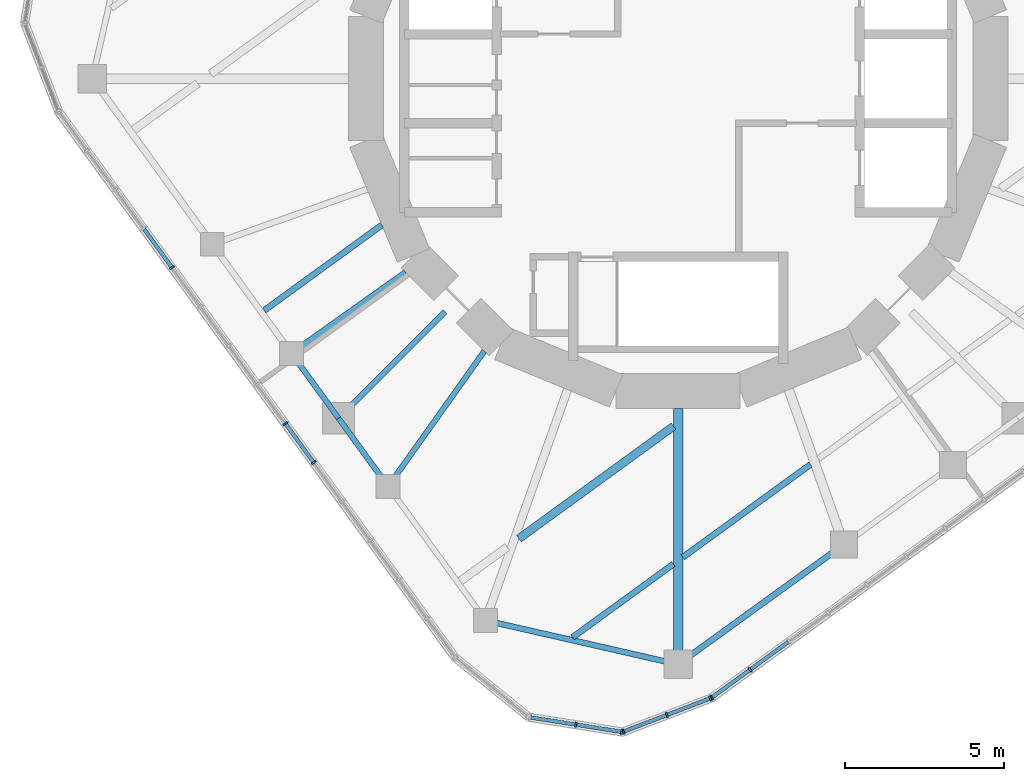
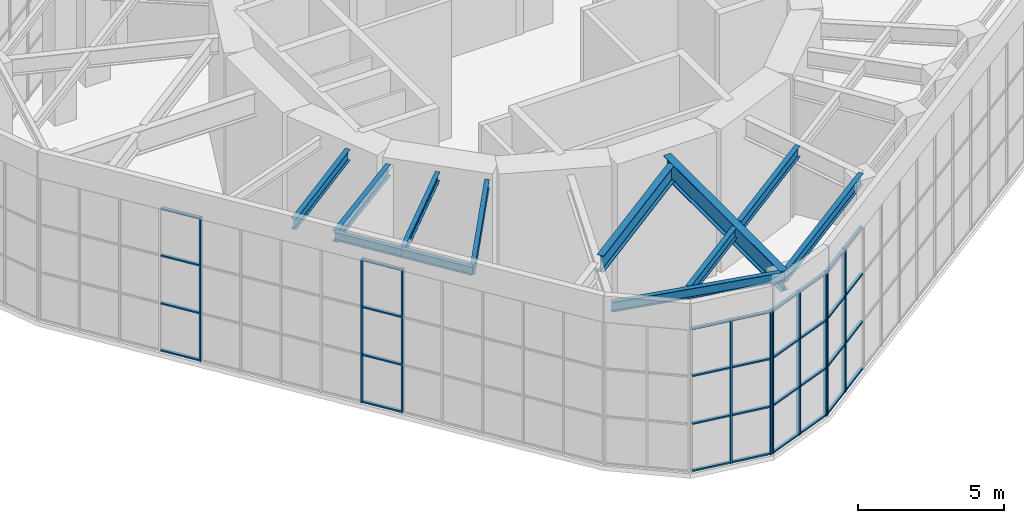
# One storey, part 3 of 17: 42 members, 12 beams, 4 elements without a shape of their own.
"""IFC4 building model written with IfcOpenShell, lengths in metres."""

from ifc_helpers import new_model, si_unit, direction, frame, origin, origin_2d, place, context, subcontext, project, spatial, rectangle, i_section, extrude, material, material_profile, profile_set, type_object, element, aggregate, save


model = new_model("IFC4")

# Units and contexts
model_context = context("Model", 3, precision=1e-05, world=origin(), true_north=direction((0.0, 1.0)))
body_context = subcontext(model_context, "Body", "Model", "MODEL_VIEW")
ifc_project = project(units=[si_unit("LENGTHUNIT", "METRE"), si_unit("AREAUNIT", "SQUARE_METRE"), si_unit("VOLUMEUNIT", "CUBIC_METRE"), si_unit("PLANEANGLEUNIT", "RADIAN"), si_unit("MASSUNIT", "GRAM", prefix="KILO")], contexts=[model_context])

# Site, building, storey
site_placement = place(None, origin())
site = spatial("IfcSite", under=ifc_project, at=site_placement, CompositionType="ELEMENT")
building_placement = place(site_placement, origin())
building = spatial("IfcBuilding", under=site, at=building_placement, Name="Nakasero Lantern House", CompositionType="ELEMENT")
storey_placement = place(building_placement, frame((0.0, 0.0, 304.39990234375)))
storey = spatial("IfcBuildingStorey", under=building, at=storey_placement, Name="L74", CompositionType="ELEMENT", Elevation=304.39990234375)

# Beams
ifc_material_1 = material(Name="Steel S355", Category="steel")
ifc_material_profile_1 = material_profile(ifc_material_1, i_section(OverallWidth=0.18994140625, OverallDepth=0.453369140625, WebThickness=0.008544921875, FlangeThickness=0.0126953125, FilletRadius=0.01025390625, at=origin_2d()), Name="UB 457x191x67")
ifc_profile_set_1 = profile_set([ifc_material_profile_1], Name="Steel S355")
beam_type_1 = type_object("IfcBeamType", Name="Infill beam UB 457x191x67", PredefinedType="JOIST", material=ifc_profile_set_1)
beam_1_placement = place(storey_placement, frame((-13.006103515625, -7.286376953125, 5.5234375), z_axis=(0.809017640959, 0.587784362344, 0.0), x_axis=(-0.587784362344, 0.809017640959, 0.0)))
element("IfcBeam", 1, at=beam_1_placement, inside=storey, type_object=beam_type_1, Name="Infill beam ROOF 07.1", PredefinedType="JOIST", context=body_context, shape_type="SweptSolid", body=[
    extrude(i_section(OverallWidth=0.18994140625, OverallDepth=0.453369140625, WebThickness=0.008544921875, FlangeThickness=0.0126953125, FilletRadius=0.01025390625, at=origin_2d()), origin(), (0.0, 0.0, 1.0), 4.572998046875),
])
ifc_material_2 = material(Name="Steel S355", Category="steel")
ifc_material_profile_2 = material_profile(ifc_material_2, i_section(OverallWidth=0.19140625, OverallDepth=0.4599609375, WebThickness=0.010009765625, FlangeThickness=0.01611328125, FilletRadius=0.01025390625, at=origin_2d()), Name="UB 457x191x82")
ifc_profile_set_2 = profile_set([ifc_material_profile_2], Name="Steel S355")
beam_type_2 = type_object("IfcBeamType", Name="Infill beam UB 457x191x82", PredefinedType="JOIST", material=ifc_profile_set_2)
beam_2_placement = place(storey_placement, frame((-3.317626953125, -17.55224609375, 5.52001953125), z_axis=(0.809010699188, 0.587793916777, 0.0), x_axis=(-0.587793916777, 0.809010699188, 0.0)))
element("IfcBeam", 2, at=beam_2_placement, inside=storey, type_object=beam_type_2, Name="Infill beam ROOF 03.1", PredefinedType="JOIST", context=body_context, shape_type="SweptSolid", body=[
    extrude(i_section(OverallWidth=0.19140625, OverallDepth=0.4599609375, WebThickness=0.010009765625, FlangeThickness=0.01611328125, FilletRadius=0.01025390625, at=origin_2d()), origin(), (0.0, 0.0, 1.0), 3.920166015625),
])
beam_3_placement = place(storey_placement, frame((0.146240234375, -15.03564453125, 5.52001953125), z_axis=(0.809006565484, 0.587799606162, 0.0), x_axis=(-0.587799606162, 0.809006565484, 0.0)))
element("IfcBeam", 3, at=beam_3_placement, inside=storey, type_object=beam_type_2, Name="Infill beam ROOF 03.2", PredefinedType="JOIST", context=body_context, shape_type="SweptSolid", body=[
    extrude(i_section(OverallWidth=0.19140625, OverallDepth=0.4599609375, WebThickness=0.010009765625, FlangeThickness=0.01611328125, FilletRadius=0.01025390625, at=origin_2d()), origin(), (0.0, 0.0, 1.0), 4.95556640625),
])
ifc_material_3 = material(Name="Steel S355", Category="steel")
ifc_material_profile_3 = material_profile(ifc_material_3, i_section(OverallWidth=0.255859375, OverallDepth=0.69287109375, WebThickness=0.014404296875, FlangeThickness=0.023681640625, FilletRadius=0.01513671875, at=origin_2d()), Name="UB 686x254x170")
ifc_profile_set_3 = profile_set([ifc_material_profile_3], Name="Steel S355")
beam_type_3 = type_object("IfcBeamType", Name="Infill beam UB 686x254x170", PredefinedType="JOIST", material=ifc_profile_set_3)
beam_4_placement = place(storey_placement, frame((-5.001953125, -14.44970703125, 5.403564453125), z_axis=(0.809020946889, 0.587779812085, 0.0), x_axis=(-0.587779812085, 0.809020946889, 0.0)))
element("IfcBeam", 4, at=beam_4_placement, inside=storey, type_object=beam_type_3, Name="Infill beam ROOF 04.2", PredefinedType="JOIST", context=body_context, shape_type="SweptSolid", body=[
    extrude(i_section(OverallWidth=0.255859375, OverallDepth=0.69287109375, WebThickness=0.014404296875, FlangeThickness=0.023681640625, FilletRadius=0.01513671875, at=origin_2d()), origin(), (0.0, 0.0, 1.0), 6.001953125),
])

# Curtain wall, members
ifc_material_4 = material(Name="Aluminium 6063-T6 and glass", Category="aluminium")
curtain_wall_type = type_object("IfcCurtainWallType", Name="Lantern glazing CW-4", PredefinedType="USERDEFINED", material=ifc_material_4)
curtain_wall_1_placement = place(storey_placement, origin())
curtain_wall_1 = element("IfcCurtainWall", 5, at=curtain_wall_1_placement, inside=storey, type_object=curtain_wall_type, Name="Curtain wall CW-4 L74", ObjectType="UNITISED CURTAIN WALL", PredefinedType="USERDEFINED")
ifc_material_5 = material(Name="Aluminium 6063-T6", Category="aluminium")
ifc_material_profile_4 = material_profile(ifc_material_5, rectangle(XDim=0.06005859375, YDim=0.159912109375, at=origin_2d()), Name="CW-4 mullion 60x160")
ifc_profile_set_4 = profile_set([ifc_material_profile_4], Name="Aluminium 6063-T6")
member_type_1 = type_object("IfcMemberType", Name="Mullion CW-4", PredefinedType="MULLION", material=ifc_profile_set_4)
member_1_placement = place(storey_placement, frame((-15.897705078125, -5.93505859375, 0.0), z_axis=(0.0, 0.0, 1.0), x_axis=(0.587785252292, -0.809016994375, 0.0)))
member_1 = element("IfcMember", 6, at=member_1_placement, type_object=member_type_1, Name="CW-4 mullion 5", PredefinedType="MULLION", context=body_context, shape_type="SweptSolid", body=[
    extrude(rectangle(XDim=0.06005859375, YDim=0.159912109375, at=origin_2d()), origin(), (0.0, 0.0, 1.0), 6.0),
])
member_2_placement = place(storey_placement, frame((-12.33740234375, -10.83544921875, 0.0), z_axis=(0.0, 0.0, 1.0), x_axis=(0.587785252292, -0.809016994375, 0.0)))
member_2 = element("IfcMember", 7, at=member_2_placement, type_object=member_type_1, Name="CW-4 mullion 9", PredefinedType="MULLION", context=body_context, shape_type="SweptSolid", body=[
    extrude(rectangle(XDim=0.06005859375, YDim=0.159912109375, at=origin_2d()), origin(), (0.0, 0.0, 1.0), 6.0),
])
member_3_placement = place(storey_placement, frame((-11.447265625, -12.060546875, 0.0), z_axis=(0.0, 0.0, 1.0), x_axis=(0.587785252292, -0.809016994375, 0.0)))
member_3 = element("IfcMember", 8, at=member_3_placement, type_object=member_type_1, Name="CW-4 mullion 10", PredefinedType="MULLION", context=body_context, shape_type="SweptSolid", body=[
    extrude(rectangle(XDim=0.06005859375, YDim=0.159912109375, at=origin_2d()), origin(), (0.0, 0.0, 1.0), 6.0),
])

curtain_wall_2_placement = place(storey_placement, origin())
curtain_wall_2 = element("IfcCurtainWall", 9, at=curtain_wall_2_placement, inside=storey, type_object=curtain_wall_type, Name="Curtain wall CW-4 L74", ObjectType="UNITISED CURTAIN WALL", PredefinedType="USERDEFINED")
member_4_placement = place(storey_placement, frame((-3.2138671875, -20.291748046875, 0.0), z_axis=(0.0, 0.0, 1.0), x_axis=(0.987688340595, -0.15643446504, 0.0)))
member_4 = element("IfcMember", 10, at=member_4_placement, type_object=member_type_1, Name="CW-4 mullion 2", PredefinedType="MULLION", context=body_context, shape_type="SweptSolid", body=[
    extrude(rectangle(XDim=0.06005859375, YDim=0.159912109375, at=origin_2d()), origin(), (0.0, 0.0, 1.0), 6.0),
])
member_5_placement = place(storey_placement, frame((-1.773681640625, -20.52001953125, 0.0), z_axis=(0.0, 0.0, 1.0), x_axis=(0.987688340595, -0.15643446504, 0.0)))
member_5 = element("IfcMember", 11, at=member_5_placement, type_object=member_type_1, Name="CW-4 mullion 3", PredefinedType="MULLION", context=body_context, shape_type="SweptSolid", body=[
    extrude(rectangle(XDim=0.06005859375, YDim=0.159912109375, at=origin_2d()), origin(), (0.0, 0.0, 1.0), 6.0),
])

curtain_wall_3_placement = place(storey_placement, origin())
curtain_wall_3 = element("IfcCurtainWall", 12, at=curtain_wall_3_placement, inside=storey, type_object=curtain_wall_type, Name="Curtain wall CW-4 L74", ObjectType="UNITISED CURTAIN WALL", PredefinedType="USERDEFINED")
member_6_placement = place(storey_placement, frame((-1.716064453125, -20.513916015625, 0.0), z_axis=(0.0, 0.0, 1.0), x_axis=(0.933580426497, 0.358367949545, 0.0)))
member_6 = element("IfcMember", 13, at=member_6_placement, type_object=member_type_1, Name="CW-4 mullion 1", PredefinedType="MULLION", context=body_context, shape_type="SweptSolid", body=[
    extrude(rectangle(XDim=0.06005859375, YDim=0.159912109375, at=origin_2d()), origin(), (0.0, 0.0, 1.0), 6.0),
])
member_7_placement = place(storey_placement, frame((-0.354736328125, -19.9912109375, 0.0), z_axis=(0.0, 0.0, 1.0), x_axis=(0.933580426497, 0.358367949545, 0.0)))
member_7 = element("IfcMember", 14, at=member_7_placement, type_object=member_type_1, Name="CW-4 mullion 2", PredefinedType="MULLION", context=body_context, shape_type="SweptSolid", body=[
    extrude(rectangle(XDim=0.06005859375, YDim=0.159912109375, at=origin_2d()), origin(), (0.0, 0.0, 1.0), 6.0),
])
member_8_placement = place(storey_placement, frame((1.006591796875, -19.46875, 0.0), z_axis=(0.0, 0.0, 1.0), x_axis=(0.933580426497, 0.358367949545, 0.0)))
member_8 = element("IfcMember", 15, at=member_8_placement, type_object=member_type_1, Name="CW-4 mullion 3", PredefinedType="MULLION", context=body_context, shape_type="SweptSolid", body=[
    extrude(rectangle(XDim=0.06005859375, YDim=0.159912109375, at=origin_2d()), origin(), (0.0, 0.0, 1.0), 6.0),
])

curtain_wall_4_placement = place(storey_placement, origin())
curtain_wall_4 = element("IfcCurtainWall", 16, at=curtain_wall_4_placement, inside=storey, type_object=curtain_wall_type, Name="Curtain wall CW-4 L74", ObjectType="UNITISED CURTAIN WALL", PredefinedType="USERDEFINED")
member_9_placement = place(storey_placement, frame((1.05908203125, -19.4404296875, 0.0), z_axis=(0.0, 0.0, 1.0), x_axis=(0.809016994375, 0.587785252292, 0.0)))
member_9 = element("IfcMember", 17, at=member_9_placement, type_object=member_type_1, Name="CW-4 mullion 1", PredefinedType="MULLION", context=body_context, shape_type="SweptSolid", body=[
    extrude(rectangle(XDim=0.06005859375, YDim=0.159912109375, at=origin_2d()), origin(), (0.0, 0.0, 1.0), 6.0),
])
member_10_placement = place(storey_placement, frame((2.259765625, -18.56787109375, 0.0), z_axis=(0.0, 0.0, 1.0), x_axis=(0.809016994375, 0.587785252292, 0.0)))
member_10 = element("IfcMember", 18, at=member_10_placement, type_object=member_type_1, Name="CW-4 mullion 2", PredefinedType="MULLION", context=body_context, shape_type="SweptSolid", body=[
    extrude(rectangle(XDim=0.06005859375, YDim=0.159912109375, at=origin_2d()), origin(), (0.0, 0.0, 1.0), 6.0),
])

# Beams
ifc_material_6 = material(Name="Steel S355", Category="steel")
ifc_material_profile_5 = material_profile(ifc_material_6, i_section(OverallWidth=0.17138671875, OverallDepth=0.35498046875, WebThickness=0.00732421875, FlangeThickness=0.011474609375, FilletRadius=0.01025390625, at=origin_2d()), Name="UB 356x171x51")
ifc_profile_set_5 = profile_set([ifc_material_profile_5], Name="Steel S355")
beam_type_4 = type_object("IfcBeamType", Name="Primary beam UB 356x171x51, span to 6 m", PredefinedType="BEAM", material=ifc_profile_set_5)
beam_5_placement = place(storey_placement, frame((-10.667236328125, -10.667236328125, 5.572509765625), z_axis=(0.707106781187, 0.707106781187, 0.0), x_axis=(-0.707106781187, 0.707106781187, 0.0)))
element("IfcBeam", 19, at=beam_5_placement, inside=storey, type_object=beam_type_4, Name="Primary beam ROOF B7-C18", PredefinedType="BEAM", context=body_context, shape_type="SweptSolid", body=[
    extrude(i_section(OverallWidth=0.17138671875, OverallDepth=0.35498046875, WebThickness=0.00732421875, FlangeThickness=0.011474609375, FilletRadius=0.01025390625, at=origin_2d()), origin(), (0.0, 0.0, 1.0), 4.727783203125),
])
beam_6_placement = place(storey_placement, frame((-9.10986328125, -12.810791015625, 5.572509765625), z_axis=(0.579500985986, 0.814971537688, 0.0), x_axis=(-0.814971537688, 0.579500985986, 0.0)))
element("IfcBeam", 20, at=beam_6_placement, inside=storey, type_object=beam_type_4, Name="Primary beam ROOF B7-C19", PredefinedType="BEAM", context=body_context, shape_type="SweptSolid", body=[
    extrude(i_section(OverallWidth=0.17138671875, OverallDepth=0.35498046875, WebThickness=0.00732421875, FlangeThickness=0.011474609375, FilletRadius=0.01025390625, at=origin_2d()), origin(), (0.0, 0.0, 1.0), 5.215087890625),
])
ifc_material_7 = material(Name="Steel S355", Category="steel")
ifc_material_profile_6 = material_profile(ifc_material_7, i_section(OverallWidth=0.19140625, OverallDepth=0.4599609375, WebThickness=0.010009765625, FlangeThickness=0.01611328125, FilletRadius=0.01025390625, at=origin_2d()), Name="UB 457x191x82")
ifc_profile_set_6 = profile_set([ifc_material_profile_6], Name="Steel S355")
beam_type_5 = type_object("IfcBeamType", Name="Primary beam UB 457x191x82, span to 6 m", PredefinedType="BEAM", material=ifc_profile_set_6)
beam_7_placement = place(storey_placement, frame((-12.1435546875, -8.63525390625, 5.52001953125), z_axis=(0.814988544116, 0.579477068537, 0.0), x_axis=(-0.579477068537, 0.814988544116, 0.0)))
element("IfcBeam", 21, at=beam_7_placement, inside=storey, type_object=beam_type_5, Name="Primary beam ROOF B7-C17", PredefinedType="BEAM", context=body_context, shape_type="SweptSolid", body=[
    extrude(i_section(OverallWidth=0.19140625, OverallDepth=0.4599609375, WebThickness=0.010009765625, FlangeThickness=0.01611328125, FilletRadius=0.01025390625, at=origin_2d()), origin(), (0.0, 0.0, 1.0), 4.396484375),
])
ifc_material_8 = material(Name="Steel S355", Category="steel")
ifc_material_profile_7 = material_profile(ifc_material_8, i_section(OverallWidth=0.29248046875, OverallDepth=0.8408203125, WebThickness=0.0146484375, FlangeThickness=0.02685546875, FilletRadius=0.017822265625, at=origin_2d()), Name="UB 838x292x194")
ifc_profile_set_7 = profile_set([ifc_material_profile_7], Name="Steel S355")
beam_type_6 = type_object("IfcBeamType", Name="Primary beam UB 838x292x194, span 6 to 9 m", PredefinedType="BEAM", material=ifc_profile_set_7)
beam_8_placement = place(storey_placement, frame((0.0, -18.39990234375, 5.329833984375), z_axis=(0.0, 1.0, 0.0), x_axis=(-1.0, 0.0, 0.0)))
element("IfcBeam", 22, at=beam_8_placement, inside=storey, type_object=beam_type_6, Name="Primary beam ROOF B7-C21", PredefinedType="BEAM", context=body_context, shape_type="SweptSolid", body=[
    extrude(i_section(OverallWidth=0.29248046875, OverallDepth=0.8408203125, WebThickness=0.0146484375, FlangeThickness=0.02685546875, FilletRadius=0.017822265625, at=origin_2d()), origin(), (0.0, 0.0, 1.0), 8.0419921875),
])
ifc_material_9 = material(Name="Steel S355", Category="steel")
ifc_material_profile_8 = material_profile(ifc_material_9, i_section(OverallWidth=0.17138671875, OverallDepth=0.35498046875, WebThickness=0.00732421875, FlangeThickness=0.011474609375, FilletRadius=0.01025390625, at=origin_2d()), Name="UB 356x171x51")
ifc_profile_set_8 = profile_set([ifc_material_profile_8], Name="Steel S355")
beam_type_7 = type_object("IfcBeamType", Name="Ring beam UB 356x171x51", PredefinedType="BEAM", material=ifc_profile_set_8)
beam_9_placement = place(storey_placement, frame((-12.1435546875, -8.63525390625, 5.572509765625), z_axis=(0.58778439593, -0.809017616558, 0.0), x_axis=(0.809017616558, 0.58778439593, 0.0)))
element("IfcBeam", 23, at=beam_9_placement, inside=storey, type_object=beam_type_7, Name="Ring beam ROOF B7-C17", PredefinedType="BEAM", context=body_context, shape_type="SweptSolid", body=[
    extrude(i_section(OverallWidth=0.17138671875, OverallDepth=0.35498046875, WebThickness=0.00732421875, FlangeThickness=0.011474609375, FilletRadius=0.01025390625, at=origin_2d()), origin(), (0.0, 0.0, 1.0), 2.51171875),
])
beam_10_placement = place(storey_placement, frame((-10.667236328125, -10.667236328125, 5.572509765625), z_axis=(0.587782635143, -0.809018895839, 0.0), x_axis=(0.809018895839, 0.587782635143, 0.0)))
element("IfcBeam", 24, at=beam_10_placement, inside=storey, type_object=beam_type_7, Name="Ring beam ROOF B7-C18", PredefinedType="BEAM", context=body_context, shape_type="SweptSolid", body=[
    extrude(i_section(OverallWidth=0.17138671875, OverallDepth=0.35498046875, WebThickness=0.00732421875, FlangeThickness=0.011474609375, FilletRadius=0.01025390625, at=origin_2d()), origin(), (0.0, 0.0, 1.0), 2.649658203125),
])
ifc_material_10 = material(Name="Steel S355", Category="steel")
ifc_material_profile_9 = material_profile(ifc_material_10, i_section(OverallWidth=0.177978515625, OverallDepth=0.406494140625, WebThickness=0.0078125, FlangeThickness=0.0126953125, FilletRadius=0.01025390625, at=origin_2d()), Name="UB 406x178x60")
ifc_profile_set_9 = profile_set([ifc_material_profile_9], Name="Steel S355")
beam_type_8 = type_object("IfcBeamType", Name="Ring beam UB 406x178x60", PredefinedType="BEAM", material=ifc_profile_set_9)
beam_11_placement = place(storey_placement, frame((-6.051513671875, -17.02001953125, 5.546875), z_axis=(0.974974575944, -0.222316387753, 0.0), x_axis=(0.222316387753, 0.974974575944, 0.0)))
element("IfcBeam", 25, at=beam_11_placement, inside=storey, type_object=beam_type_8, Name="Ring beam ROOF B7-C20", PredefinedType="BEAM", context=body_context, shape_type="SweptSolid", body=[
    extrude(i_section(OverallWidth=0.177978515625, OverallDepth=0.406494140625, WebThickness=0.0078125, FlangeThickness=0.0126953125, FilletRadius=0.01025390625, at=origin_2d()), origin(), (0.0, 0.0, 1.0), 6.206787109375),
])
ifc_material_11 = material(Name="Steel S355", Category="steel")
ifc_material_profile_10 = material_profile(ifc_material_11, i_section(OverallWidth=0.18994140625, OverallDepth=0.453369140625, WebThickness=0.008544921875, FlangeThickness=0.0126953125, FilletRadius=0.01025390625, at=origin_2d()), Name="UB 457x191x67")
ifc_profile_set_10 = profile_set([ifc_material_profile_10], Name="Steel S355")
beam_type_9 = type_object("IfcBeamType", Name="Ring beam UB 457x191x67", PredefinedType="BEAM", material=ifc_profile_set_10)
beam_12_placement = place(storey_placement, frame((0.0, -18.39990234375, 5.5234375), z_axis=(0.810316200404, 0.58599287996, 0.0), x_axis=(-0.58599287996, 0.810316200404, 0.0)))
element("IfcBeam", 26, at=beam_12_placement, inside=storey, type_object=beam_type_9, Name="Ring beam ROOF B7-C21", PredefinedType="BEAM", context=body_context, shape_type="SweptSolid", body=[
    extrude(i_section(OverallWidth=0.18994140625, OverallDepth=0.453369140625, WebThickness=0.008544921875, FlangeThickness=0.0126953125, FilletRadius=0.01025390625, at=origin_2d()), origin(), (0.0, 0.0, 1.0), 6.42236328125),
])

# Member
ifc_material_12 = material(Name="Aluminium 6063-T6", Category="aluminium")
ifc_material_profile_11 = material_profile(ifc_material_12, rectangle(XDim=0.06005859375, YDim=0.1201171875, at=origin_2d()), Name="CW-4 transom 60x120")
ifc_profile_set_11 = profile_set([ifc_material_profile_11], Name="Aluminium 6063-T6")
member_type_2 = type_object("IfcMemberType", Name="Transom CW-4", PredefinedType="USERDEFINED", material=ifc_profile_set_11)
member_11_placement = place(storey_placement, frame((-16.77001953125, -4.734130859375, 0.030029296875), z_axis=(0.587682523869, -0.809091620979, 0.0), x_axis=(0.0, 0.0, 1.0)))
member_11 = element("IfcMember", 27, at=member_11_placement, type_object=member_type_2, Name="CW-4 transom 4.1", ObjectType="TRANSOM", PredefinedType="USERDEFINED", context=body_context, shape_type="SweptSolid", body=[
    extrude(rectangle(XDim=0.06005859375, YDim=0.1201171875, at=origin_2d()), origin(), (0.0, 0.0, 1.0), 1.454345703125),
])

member_12_placement = place(storey_placement, frame((-16.77001953125, -4.734130859375, 2.0), z_axis=(0.587682523869, -0.809091620979, 0.0), x_axis=(0.0, 0.0, 1.0)))
member_12 = element("IfcMember", 28, at=member_12_placement, type_object=member_type_2, Name="CW-4 transom 4.2", ObjectType="TRANSOM", PredefinedType="USERDEFINED", context=body_context, shape_type="SweptSolid", body=[
    extrude(rectangle(XDim=0.06005859375, YDim=0.1201171875, at=origin_2d()), origin(), (0.0, 0.0, 1.0), 1.454345703125),
])

member_13_placement = place(storey_placement, frame((-16.77001953125, -4.734130859375, 4.0), z_axis=(0.587682523869, -0.809091620979, 0.0), x_axis=(0.0, 0.0, 1.0)))
member_13 = element("IfcMember", 29, at=member_13_placement, type_object=member_type_2, Name="CW-4 transom 4.3", ObjectType="TRANSOM", PredefinedType="USERDEFINED", context=body_context, shape_type="SweptSolid", body=[
    extrude(rectangle(XDim=0.06005859375, YDim=0.1201171875, at=origin_2d()), origin(), (0.0, 0.0, 1.0), 1.454345703125),
])

member_14_placement = place(storey_placement, frame((-16.77001953125, -4.734130859375, 5.97021484375), z_axis=(0.587682523869, -0.809091620979, 0.0), x_axis=(0.0, 0.0, 1.0)))
member_14 = element("IfcMember", 30, at=member_14_placement, type_object=member_type_2, Name="CW-4 transom 4.4", ObjectType="TRANSOM", PredefinedType="USERDEFINED", context=body_context, shape_type="SweptSolid", body=[
    extrude(rectangle(XDim=0.06005859375, YDim=0.1201171875, at=origin_2d()), origin(), (0.0, 0.0, 1.0), 1.454345703125),
])

member_15_placement = place(storey_placement, frame((-12.31982421875, -10.859619140625, 0.030029296875), z_axis=(0.587872217916, -0.808953803009, 0.0), x_axis=(0.0, 0.0, 1.0)))
member_15 = element("IfcMember", 31, at=member_15_placement, type_object=member_type_2, Name="CW-4 transom 9.1", ObjectType="TRANSOM", PredefinedType="USERDEFINED", context=body_context, shape_type="SweptSolid", body=[
    extrude(rectangle(XDim=0.06005859375, YDim=0.1201171875, at=origin_2d()), origin(), (0.0, 0.0, 1.0), 1.454345703125),
])

member_16_placement = place(storey_placement, frame((-12.31982421875, -10.859619140625, 2.0), z_axis=(0.587872217916, -0.808953803009, 0.0), x_axis=(0.0, 0.0, 1.0)))
member_16 = element("IfcMember", 32, at=member_16_placement, type_object=member_type_2, Name="CW-4 transom 9.2", ObjectType="TRANSOM", PredefinedType="USERDEFINED", context=body_context, shape_type="SweptSolid", body=[
    extrude(rectangle(XDim=0.06005859375, YDim=0.1201171875, at=origin_2d()), origin(), (0.0, 0.0, 1.0), 1.454345703125),
])

member_17_placement = place(storey_placement, frame((-12.31982421875, -10.859619140625, 4.0), z_axis=(0.587872217916, -0.808953803009, 0.0), x_axis=(0.0, 0.0, 1.0)))
member_17 = element("IfcMember", 33, at=member_17_placement, type_object=member_type_2, Name="CW-4 transom 9.3", ObjectType="TRANSOM", PredefinedType="USERDEFINED", context=body_context, shape_type="SweptSolid", body=[
    extrude(rectangle(XDim=0.06005859375, YDim=0.1201171875, at=origin_2d()), origin(), (0.0, 0.0, 1.0), 1.454345703125),
])

member_18_placement = place(storey_placement, frame((-12.31982421875, -10.859619140625, 5.97021484375), z_axis=(0.587872217916, -0.808953803009, 0.0), x_axis=(0.0, 0.0, 1.0)))
member_18 = element("IfcMember", 34, at=member_18_placement, type_object=member_type_2, Name="CW-4 transom 9.4", ObjectType="TRANSOM", PredefinedType="USERDEFINED", context=body_context, shape_type="SweptSolid", body=[
    extrude(rectangle(XDim=0.06005859375, YDim=0.1201171875, at=origin_2d()), origin(), (0.0, 0.0, 1.0), 1.454345703125),
])

aggregate(curtain_wall_1, [member_1, member_2, member_3, member_11, member_12, member_13, member_14, member_15, member_16, member_17, member_18])

member_19_placement = place(storey_placement, frame((-4.62451171875, -20.068359375, 0.030029296875), z_axis=(0.987683548127, -0.156464720495, 0.0), x_axis=(0.0, 0.0, 1.0)))
member_19 = element("IfcMember", 35, at=member_19_placement, type_object=member_type_2, Name="CW-4 transom 1.1", ObjectType="TRANSOM", PredefinedType="USERDEFINED", context=body_context, shape_type="SweptSolid", body=[
    extrude(rectangle(XDim=0.06005859375, YDim=0.1201171875, at=origin_2d()), origin(), (0.0, 0.0, 1.0), 1.398193359375),
])

member_20_placement = place(storey_placement, frame((-4.62451171875, -20.068359375, 2.0), z_axis=(0.987683548127, -0.156464720495, 0.0), x_axis=(0.0, 0.0, 1.0)))
member_20 = element("IfcMember", 36, at=member_20_placement, type_object=member_type_2, Name="CW-4 transom 1.2", ObjectType="TRANSOM", PredefinedType="USERDEFINED", context=body_context, shape_type="SweptSolid", body=[
    extrude(rectangle(XDim=0.06005859375, YDim=0.1201171875, at=origin_2d()), origin(), (0.0, 0.0, 1.0), 1.398193359375),
])

member_21_placement = place(storey_placement, frame((-4.62451171875, -20.068359375, 4.0), z_axis=(0.987683548127, -0.156464720495, 0.0), x_axis=(0.0, 0.0, 1.0)))
member_21 = element("IfcMember", 37, at=member_21_placement, type_object=member_type_2, Name="CW-4 transom 1.3", ObjectType="TRANSOM", PredefinedType="USERDEFINED", context=body_context, shape_type="SweptSolid", body=[
    extrude(rectangle(XDim=0.06005859375, YDim=0.1201171875, at=origin_2d()), origin(), (0.0, 0.0, 1.0), 1.398193359375),
])

member_22_placement = place(storey_placement, frame((-4.62451171875, -20.068359375, 5.97021484375), z_axis=(0.987683548127, -0.156464720495, 0.0), x_axis=(0.0, 0.0, 1.0)))
member_22 = element("IfcMember", 38, at=member_22_placement, type_object=member_type_2, Name="CW-4 transom 1.4", ObjectType="TRANSOM", PredefinedType="USERDEFINED", context=body_context, shape_type="SweptSolid", body=[
    extrude(rectangle(XDim=0.06005859375, YDim=0.1201171875, at=origin_2d()), origin(), (0.0, 0.0, 1.0), 1.398193359375),
])

member_23_placement = place(storey_placement, frame((-3.184326171875, -20.29638671875, 0.030029296875), z_axis=(0.987687822072, -0.156437738833, 0.0), x_axis=(0.0, 0.0, 1.0)))
member_23 = element("IfcMember", 39, at=member_23_placement, type_object=member_type_2, Name="CW-4 transom 2.1", ObjectType="TRANSOM", PredefinedType="USERDEFINED", context=body_context, shape_type="SweptSolid", body=[
    extrude(rectangle(XDim=0.06005859375, YDim=0.1201171875, at=origin_2d()), origin(), (0.0, 0.0, 1.0), 1.3984375),
])

member_24_placement = place(storey_placement, frame((-3.184326171875, -20.29638671875, 2.0), z_axis=(0.987687822072, -0.156437738833, 0.0), x_axis=(0.0, 0.0, 1.0)))
member_24 = element("IfcMember", 40, at=member_24_placement, type_object=member_type_2, Name="CW-4 transom 2.2", ObjectType="TRANSOM", PredefinedType="USERDEFINED", context=body_context, shape_type="SweptSolid", body=[
    extrude(rectangle(XDim=0.06005859375, YDim=0.1201171875, at=origin_2d()), origin(), (0.0, 0.0, 1.0), 1.3984375),
])

member_25_placement = place(storey_placement, frame((-3.184326171875, -20.29638671875, 4.0), z_axis=(0.987687822072, -0.156437738833, 0.0), x_axis=(0.0, 0.0, 1.0)))
member_25 = element("IfcMember", 41, at=member_25_placement, type_object=member_type_2, Name="CW-4 transom 2.3", ObjectType="TRANSOM", PredefinedType="USERDEFINED", context=body_context, shape_type="SweptSolid", body=[
    extrude(rectangle(XDim=0.06005859375, YDim=0.1201171875, at=origin_2d()), origin(), (0.0, 0.0, 1.0), 1.3984375),
])

member_26_placement = place(storey_placement, frame((-3.184326171875, -20.29638671875, 5.97021484375), z_axis=(0.987687822072, -0.156437738833, 0.0), x_axis=(0.0, 0.0, 1.0)))
member_26 = element("IfcMember", 42, at=member_26_placement, type_object=member_type_2, Name="CW-4 transom 2.4", ObjectType="TRANSOM", PredefinedType="USERDEFINED", context=body_context, shape_type="SweptSolid", body=[
    extrude(rectangle(XDim=0.06005859375, YDim=0.1201171875, at=origin_2d()), origin(), (0.0, 0.0, 1.0), 1.3984375),
])

aggregate(curtain_wall_2, [member_4, member_5, member_19, member_20, member_21, member_22, member_23, member_24, member_25, member_26])

member_27_placement = place(storey_placement, frame((-1.68798828125, -20.503173828125, 0.030029296875), z_axis=(0.933552443557, 0.358440839092, 0.0), x_axis=(0.0, 0.0, 1.0)))
member_27 = element("IfcMember", 43, at=member_27_placement, type_object=member_type_2, Name="CW-4 transom 1.1", ObjectType="TRANSOM", PredefinedType="USERDEFINED", context=body_context, shape_type="SweptSolid", body=[
    extrude(rectangle(XDim=0.06005859375, YDim=0.1201171875, at=origin_2d()), origin(), (0.0, 0.0, 1.0), 1.3984375),
])

member_28_placement = place(storey_placement, frame((-1.68798828125, -20.503173828125, 2.0), z_axis=(0.933552443557, 0.358440839092, 0.0), x_axis=(0.0, 0.0, 1.0)))
member_28 = element("IfcMember", 44, at=member_28_placement, type_object=member_type_2, Name="CW-4 transom 1.2", ObjectType="TRANSOM", PredefinedType="USERDEFINED", context=body_context, shape_type="SweptSolid", body=[
    extrude(rectangle(XDim=0.06005859375, YDim=0.1201171875, at=origin_2d()), origin(), (0.0, 0.0, 1.0), 1.3984375),
])

member_29_placement = place(storey_placement, frame((-1.68798828125, -20.503173828125, 4.0), z_axis=(0.933552443557, 0.358440839092, 0.0), x_axis=(0.0, 0.0, 1.0)))
member_29 = element("IfcMember", 45, at=member_29_placement, type_object=member_type_2, Name="CW-4 transom 1.3", ObjectType="TRANSOM", PredefinedType="USERDEFINED", context=body_context, shape_type="SweptSolid", body=[
    extrude(rectangle(XDim=0.06005859375, YDim=0.1201171875, at=origin_2d()), origin(), (0.0, 0.0, 1.0), 1.3984375),
])

member_30_placement = place(storey_placement, frame((-1.68798828125, -20.503173828125, 5.97021484375), z_axis=(0.933552443557, 0.358440839092, 0.0), x_axis=(0.0, 0.0, 1.0)))
member_30 = element("IfcMember", 46, at=member_30_placement, type_object=member_type_2, Name="CW-4 transom 1.4", ObjectType="TRANSOM", PredefinedType="USERDEFINED", context=body_context, shape_type="SweptSolid", body=[
    extrude(rectangle(XDim=0.06005859375, YDim=0.1201171875, at=origin_2d()), origin(), (0.0, 0.0, 1.0), 1.3984375),
])

member_31_placement = place(storey_placement, frame((-0.32666015625, -19.98046875, 0.030029296875), z_axis=(0.93361085793, 0.35828866289, 0.0), x_axis=(0.0, 0.0, 1.0)))
member_31 = element("IfcMember", 47, at=member_31_placement, type_object=member_type_2, Name="CW-4 transom 2.1", ObjectType="TRANSOM", PredefinedType="USERDEFINED", context=body_context, shape_type="SweptSolid", body=[
    extrude(rectangle(XDim=0.06005859375, YDim=0.1201171875, at=origin_2d()), origin(), (0.0, 0.0, 1.0), 1.398193359375),
])

member_32_placement = place(storey_placement, frame((-0.32666015625, -19.98046875, 2.0), z_axis=(0.93361085793, 0.35828866289, 0.0), x_axis=(0.0, 0.0, 1.0)))
member_32 = element("IfcMember", 48, at=member_32_placement, type_object=member_type_2, Name="CW-4 transom 2.2", ObjectType="TRANSOM", PredefinedType="USERDEFINED", context=body_context, shape_type="SweptSolid", body=[
    extrude(rectangle(XDim=0.06005859375, YDim=0.1201171875, at=origin_2d()), origin(), (0.0, 0.0, 1.0), 1.398193359375),
])

member_33_placement = place(storey_placement, frame((-0.32666015625, -19.98046875, 4.0), z_axis=(0.93361085793, 0.35828866289, 0.0), x_axis=(0.0, 0.0, 1.0)))
member_33 = element("IfcMember", 49, at=member_33_placement, type_object=member_type_2, Name="CW-4 transom 2.3", ObjectType="TRANSOM", PredefinedType="USERDEFINED", context=body_context, shape_type="SweptSolid", body=[
    extrude(rectangle(XDim=0.06005859375, YDim=0.1201171875, at=origin_2d()), origin(), (0.0, 0.0, 1.0), 1.398193359375),
])

member_34_placement = place(storey_placement, frame((-0.32666015625, -19.98046875, 5.97021484375), z_axis=(0.93361085793, 0.35828866289, 0.0), x_axis=(0.0, 0.0, 1.0)))
member_34 = element("IfcMember", 50, at=member_34_placement, type_object=member_type_2, Name="CW-4 transom 2.4", ObjectType="TRANSOM", PredefinedType="USERDEFINED", context=body_context, shape_type="SweptSolid", body=[
    extrude(rectangle(XDim=0.06005859375, YDim=0.1201171875, at=origin_2d()), origin(), (0.0, 0.0, 1.0), 1.398193359375),
])

aggregate(curtain_wall_3, [member_6, member_7, member_8, member_27, member_28, member_29, member_30, member_31, member_32, member_33, member_34])

member_35_placement = place(storey_placement, frame((1.083251953125, -19.422607421875, 0.030029296875), z_axis=(0.809039875893, 0.587753757296, 0.0), x_axis=(0.0, 0.0, 1.0)))
member_35 = element("IfcMember", 51, at=member_35_placement, type_object=member_type_2, Name="CW-4 transom 1.1", ObjectType="TRANSOM", PredefinedType="USERDEFINED", context=body_context, shape_type="SweptSolid", body=[
    extrude(rectangle(XDim=0.06005859375, YDim=0.1201171875, at=origin_2d()), origin(), (0.0, 0.0, 1.0), 1.42431640625),
])

member_36_placement = place(storey_placement, frame((1.083251953125, -19.422607421875, 2.0), z_axis=(0.809039875893, 0.587753757296, 0.0), x_axis=(0.0, 0.0, 1.0)))
member_36 = element("IfcMember", 52, at=member_36_placement, type_object=member_type_2, Name="CW-4 transom 1.2", ObjectType="TRANSOM", PredefinedType="USERDEFINED", context=body_context, shape_type="SweptSolid", body=[
    extrude(rectangle(XDim=0.06005859375, YDim=0.1201171875, at=origin_2d()), origin(), (0.0, 0.0, 1.0), 1.42431640625),
])

member_37_placement = place(storey_placement, frame((1.083251953125, -19.422607421875, 4.0), z_axis=(0.809039875893, 0.587753757296, 0.0), x_axis=(0.0, 0.0, 1.0)))
member_37 = element("IfcMember", 53, at=member_37_placement, type_object=member_type_2, Name="CW-4 transom 1.3", ObjectType="TRANSOM", PredefinedType="USERDEFINED", context=body_context, shape_type="SweptSolid", body=[
    extrude(rectangle(XDim=0.06005859375, YDim=0.1201171875, at=origin_2d()), origin(), (0.0, 0.0, 1.0), 1.42431640625),
])

member_38_placement = place(storey_placement, frame((1.083251953125, -19.422607421875, 5.97021484375), z_axis=(0.809039875893, 0.587753757296, 0.0), x_axis=(0.0, 0.0, 1.0)))
member_38 = element("IfcMember", 54, at=member_38_placement, type_object=member_type_2, Name="CW-4 transom 1.4", ObjectType="TRANSOM", PredefinedType="USERDEFINED", context=body_context, shape_type="SweptSolid", body=[
    extrude(rectangle(XDim=0.06005859375, YDim=0.1201171875, at=origin_2d()), origin(), (0.0, 0.0, 1.0), 1.42431640625),
])

member_39_placement = place(storey_placement, frame((2.2841796875, -18.55029296875, 0.030029296875), z_axis=(0.809033634773, 0.587762348068, 0.0), x_axis=(0.0, 0.0, 1.0)))
member_39 = element("IfcMember", 55, at=member_39_placement, type_object=member_type_2, Name="CW-4 transom 2.1", ObjectType="TRANSOM", PredefinedType="USERDEFINED", context=body_context, shape_type="SweptSolid", body=[
    extrude(rectangle(XDim=0.06005859375, YDim=0.1201171875, at=origin_2d()), origin(), (0.0, 0.0, 1.0), 1.4541015625),
])

member_40_placement = place(storey_placement, frame((2.2841796875, -18.55029296875, 2.0), z_axis=(0.809033634773, 0.587762348068, 0.0), x_axis=(0.0, 0.0, 1.0)))
member_40 = element("IfcMember", 56, at=member_40_placement, type_object=member_type_2, Name="CW-4 transom 2.2", ObjectType="TRANSOM", PredefinedType="USERDEFINED", context=body_context, shape_type="SweptSolid", body=[
    extrude(rectangle(XDim=0.06005859375, YDim=0.1201171875, at=origin_2d()), origin(), (0.0, 0.0, 1.0), 1.4541015625),
])

member_41_placement = place(storey_placement, frame((2.2841796875, -18.55029296875, 4.0), z_axis=(0.809033634773, 0.587762348068, 0.0), x_axis=(0.0, 0.0, 1.0)))
member_41 = element("IfcMember", 57, at=member_41_placement, type_object=member_type_2, Name="CW-4 transom 2.3", ObjectType="TRANSOM", PredefinedType="USERDEFINED", context=body_context, shape_type="SweptSolid", body=[
    extrude(rectangle(XDim=0.06005859375, YDim=0.1201171875, at=origin_2d()), origin(), (0.0, 0.0, 1.0), 1.4541015625),
])

member_42_placement = place(storey_placement, frame((2.2841796875, -18.55029296875, 5.97021484375), z_axis=(0.809033634773, 0.587762348068, 0.0), x_axis=(0.0, 0.0, 1.0)))
member_42 = element("IfcMember", 58, at=member_42_placement, type_object=member_type_2, Name="CW-4 transom 2.4", ObjectType="TRANSOM", PredefinedType="USERDEFINED", context=body_context, shape_type="SweptSolid", body=[
    extrude(rectangle(XDim=0.06005859375, YDim=0.1201171875, at=origin_2d()), origin(), (0.0, 0.0, 1.0), 1.4541015625),
])

aggregate(curtain_wall_4, [member_9, member_10, member_35, member_36, member_37, member_38, member_39, member_40, member_41, member_42])

save(model, "model.ifc")
